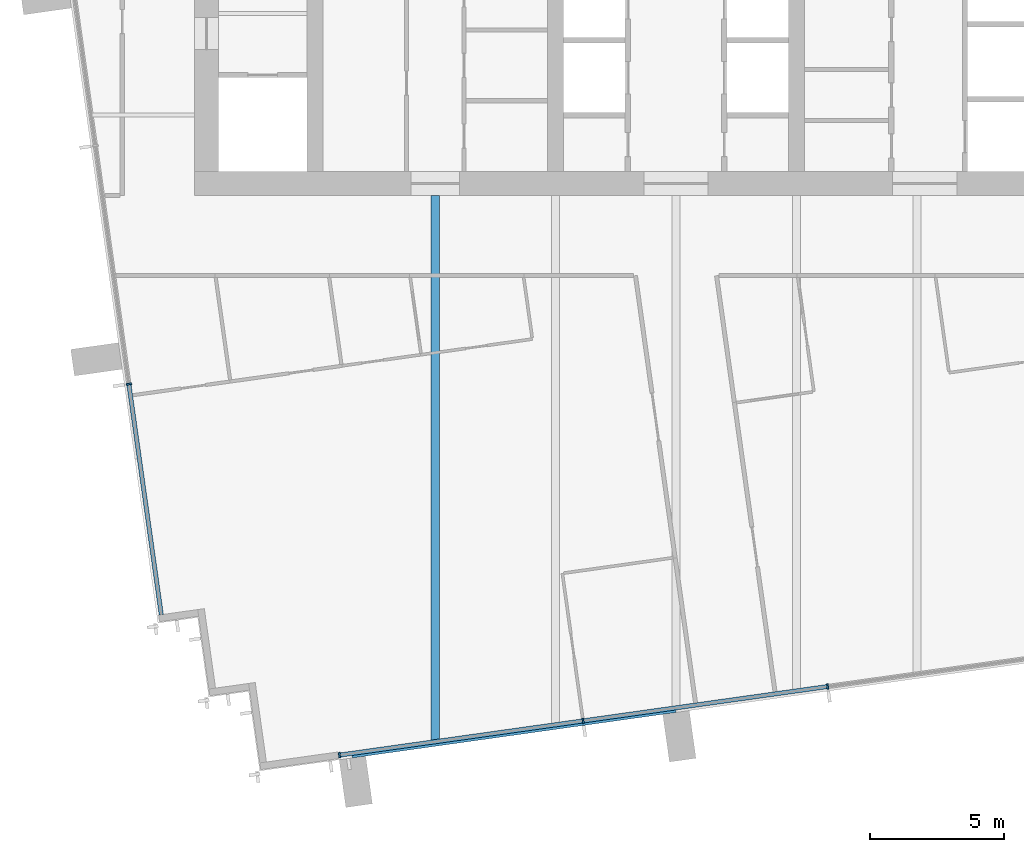
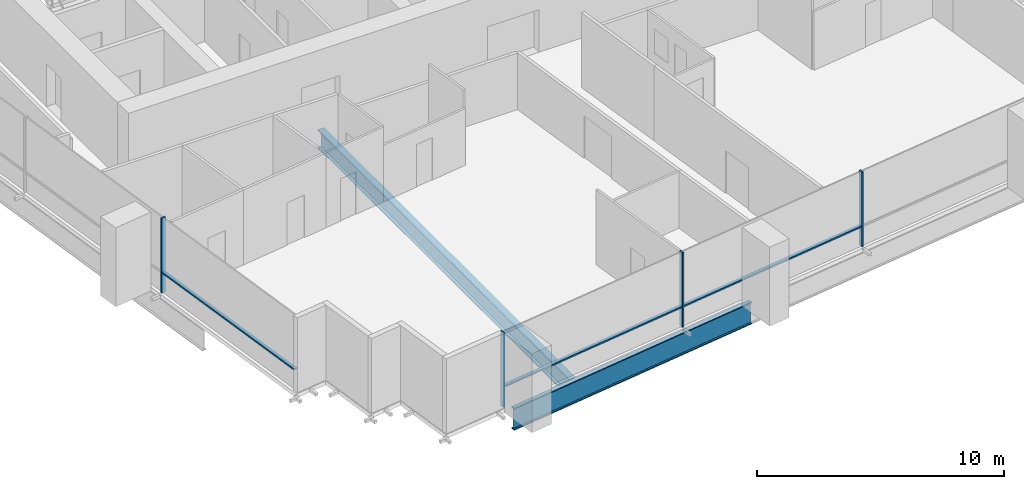
# One storey, part 2 of 14: 7 members, 2 beams, 2 elements without a shape of their own.
"""IFC4 building model written with IfcOpenShell, lengths in metres."""

from ifc_helpers import new_model, si_unit, direction, frame, origin, origin_2d, place, context, subcontext, project, spatial, rectangle, i_section, extrude, material, layer, layer_set, material_profile, profile_set, type_object, element, aggregate, save


model = new_model("IFC4")

# Units and contexts
model_context = context("Model", 3, precision=1e-05, world=origin(), true_north=direction((0.0, 1.0)))
body_context = subcontext(model_context, "Body", "Model", "MODEL_VIEW")
ifc_project = project(units=[si_unit("LENGTHUNIT", "METRE"), si_unit("AREAUNIT", "SQUARE_METRE"), si_unit("VOLUMEUNIT", "CUBIC_METRE"), si_unit("PLANEANGLEUNIT", "RADIAN"), si_unit("MASSUNIT", "GRAM", prefix="KILO")], contexts=[model_context])

# Site, building, storey
site_placement = place(None, origin())
site = spatial("IfcSite", under=ifc_project, at=site_placement, CompositionType="ELEMENT")
building_placement = place(site_placement, origin())
building = spatial("IfcBuilding", under=site, at=building_placement, Name="Rattan Terrace Tower", CompositionType="ELEMENT")
storey_placement = place(building_placement, frame((0.0, 0.0, 229.10009765625)))
storey = spatial("IfcBuildingStorey", under=building, at=storey_placement, Name="L52", CompositionType="ELEMENT", Elevation=229.10009765625)

# Beams
ifc_material_1 = material(Name="Steel S460", Category="steel")
ifc_material_profile_1 = material_profile(ifc_material_1, i_section(OverallWidth=0.179931640625, OverallDepth=1.10009765625, WebThickness=0.01611328125, FlangeThickness=0.050048828125, at=origin_2d()), Name="PG 1100x180-16-50")
ifc_profile_set_1 = profile_set([ifc_material_profile_1], Name="Steel S460")
beam_type_1 = type_object("IfcBeamType", Name="Frame edge girder PG 1100x180-16-50", PredefinedType="SPANDREL", material=ifc_profile_set_1)
beam_1_placement = place(storey_placement, frame((-12.10888671875, -28.43603515625, -0.75), z_axis=(0.990268332234, 0.139171226104, 0.0), x_axis=(-0.139171226104, 0.990268332234, 0.0)))
element("IfcBeam", 1, at=beam_1_placement, inside=storey, type_object=beam_type_1, Name="gdr-L52-001", PredefinedType="SPANDREL", context=body_context, shape_type="SweptSolid", body=[
    extrude(i_section(OverallWidth=0.179931640625, OverallDepth=1.10009765625, WebThickness=0.01611328125, FlangeThickness=0.050048828125, at=origin_2d()), origin(), (0.0, 0.0, 1.0), 12.21484375),
])
ifc_material_2 = material(Name="Steel S460", Category="steel")
ifc_material_profile_2 = material_profile(ifc_material_2, i_section(OverallWidth=0.300048828125, OverallDepth=0.89990234375, WebThickness=0.013916015625, FlangeThickness=0.035888671875, at=origin_2d()), Name="PG 900x300-14-36")
ifc_profile_set_2 = profile_set([ifc_material_profile_2], Name="Steel S460")
beam_type_2 = type_object("IfcBeamType", Name="Frame floor beam PG 900x300-14-36", PredefinedType="JOIST", material=ifc_profile_set_2)
beam_2_placement = place(storey_placement, frame((-9.0, -27.886962890625, -0.650146484375), z_axis=(0.0, 1.0, 0.0), x_axis=(-1.0, 0.0, 0.0)))
element("IfcBeam", 2, at=beam_2_placement, inside=storey, type_object=beam_type_2, Name="bm-L52-003", PredefinedType="JOIST", context=body_context, shape_type="SweptSolid", body=[
    extrude(i_section(OverallWidth=0.300048828125, OverallDepth=0.89990234375, WebThickness=0.013916015625, FlangeThickness=0.035888671875, at=origin_2d()), origin(), (0.0, 0.0, 1.0), 20.386962890625),
])

# Curtain wall, member
ifc_material_3 = material(Name="Aluminium and laminated glass", Category="aluminium")
ifc_layer = layer(ifc_material_3, 0.199951171875)
ifc_layer_set = layer_set([ifc_layer], Name="High-Zone Unitised Curtain Wall")
curtain_wall_type = type_object("IfcCurtainWallType", Name="High-Zone Unitised Curtain Wall", PredefinedType="NOTDEFINED", material=ifc_layer_set)
curtain_wall_1_placement = place(storey_placement, origin())
curtain_wall_1 = element("IfcCurtainWall", 3, at=curtain_wall_1_placement, inside=storey, type_object=curtain_wall_type, Name="High-zone curtain wall L52-3", PredefinedType="NOTDEFINED")
ifc_material_4 = material(Name="Aluminium", Category="aluminium")
ifc_material_profile_3 = material_profile(ifc_material_4, rectangle(XDim=0.070068359375, YDim=0.199951171875, at=origin_2d()), Name="Aluminium 70x200")
ifc_profile_set_3 = profile_set([ifc_material_profile_3], Name="Aluminium")
member_type_1 = type_object("IfcMemberType", Name="High-Zone CW Mullion 70x200", PredefinedType="MULLION", material=ifc_profile_set_3)
member_1_placement = place(storey_placement, frame((-20.452392578125, -14.551025390625, 0.0), z_axis=(0.0, 0.0, 1.0), x_axis=(0.139186165309, -0.990266232579, 0.0)))
member_1 = element("IfcMember", 4, at=member_1_placement, type_object=member_type_1, Name="Mullion cwl-L52-003.3", PredefinedType="MULLION", context=body_context, shape_type="SweptSolid", body=[
    extrude(rectangle(XDim=0.070068359375, YDim=0.199951171875, at=origin_2d()), origin(), (0.0, 0.0, 1.0), 3.699951171875),
])

# Curtain wall, members
curtain_wall_2_placement = place(storey_placement, origin())
curtain_wall_2 = element("IfcCurtainWall", 5, at=curtain_wall_2_placement, inside=storey, type_object=curtain_wall_type, Name="High-zone curtain wall L52-4", PredefinedType="NOTDEFINED")
member_2_placement = place(storey_placement, frame((-12.580078125, -28.4208984375, 0.0), z_axis=(0.0, 0.0, 1.0), x_axis=(0.990267457022, 0.139177453499, 0.0)))
member_2 = element("IfcMember", 6, at=member_2_placement, type_object=member_type_1, Name="Mullion cwl-L52-004.1", PredefinedType="MULLION", context=body_context, shape_type="SweptSolid", body=[
    extrude(rectangle(XDim=0.070068359375, YDim=0.199951171875, at=origin_2d()), origin(), (0.0, 0.0, 1.0), 3.699951171875),
])
member_3_placement = place(storey_placement, frame((-3.473388671875, -27.140869140625, 0.0), z_axis=(0.0, 0.0, 1.0), x_axis=(0.990267457022, 0.139177453499, 0.0)))
member_3 = element("IfcMember", 7, at=member_3_placement, type_object=member_type_1, Name="Mullion cwl-L52-004.2", PredefinedType="MULLION", context=body_context, shape_type="SweptSolid", body=[
    extrude(rectangle(XDim=0.070068359375, YDim=0.199951171875, at=origin_2d()), origin(), (0.0, 0.0, 1.0), 3.699951171875),
])
member_4_placement = place(storey_placement, frame((5.667724609375, -25.856201171875, 0.0), z_axis=(0.0, 0.0, 1.0), x_axis=(0.990267457022, 0.139177453499, 0.0)))
member_4 = element("IfcMember", 8, at=member_4_placement, type_object=member_type_1, Name="Mullion cwl-L52-004.3", PredefinedType="MULLION", context=body_context, shape_type="SweptSolid", body=[
    extrude(rectangle(XDim=0.070068359375, YDim=0.199951171875, at=origin_2d()), origin(), (0.0, 0.0, 1.0), 3.699951171875),
])

# Member
ifc_material_5 = material(Name="Aluminium", Category="aluminium")
ifc_material_profile_4 = material_profile(ifc_material_5, rectangle(XDim=0.159912109375, YDim=0.070068359375, at=origin_2d()), Name="Aluminium 160x70")
ifc_profile_set_4 = profile_set([ifc_material_profile_4], Name="Aluminium")
member_type_2 = type_object("IfcMemberType", Name="High-Zone CW Transom 160x70", PredefinedType="USERDEFINED", material=ifc_profile_set_4)
member_5_placement = place(storey_placement, frame((-20.447509765625, -14.585693359375, 1.0), z_axis=(0.139193563319, -0.990265192729, 0.0), x_axis=(0.990265192729, 0.139193563319, 0.0)))
member_5 = element("IfcMember", 9, at=member_5_placement, type_object=member_type_2, Name="Transom cwl-L52-003.3", ObjectType="TRANSOM", PredefinedType="USERDEFINED", context=body_context, shape_type="SweptSolid", body=[
    extrude(rectangle(XDim=0.159912109375, YDim=0.070068359375, at=origin_2d()), origin(), (0.0, 0.0, 1.0), 8.669921875),
])

aggregate(curtain_wall_1, [member_1, member_5])

member_6_placement = place(storey_placement, frame((-12.54541015625, -28.416015625, 1.0), z_axis=(0.990265856778, 0.139188838988, 0.0), x_axis=(-0.139188838988, 0.990265856778, 0.0)))
member_6 = element("IfcMember", 10, at=member_6_placement, type_object=member_type_2, Name="Transom cwl-L52-004.1", ObjectType="TRANSOM", PredefinedType="USERDEFINED", context=body_context, shape_type="SweptSolid", body=[
    extrude(rectangle(XDim=0.159912109375, YDim=0.070068359375, at=origin_2d()), origin(), (0.0, 0.0, 1.0), 9.126220703125),
])

member_7_placement = place(storey_placement, frame((-3.438720703125, -27.135986328125, 1.0), z_axis=(0.990268863305, 0.13916744723, 0.0), x_axis=(-0.13916744723, 0.990268863305, 0.0)))
member_7 = element("IfcMember", 11, at=member_7_placement, type_object=member_type_2, Name="Transom cwl-L52-004.2", ObjectType="TRANSOM", PredefinedType="USERDEFINED", context=body_context, shape_type="SweptSolid", body=[
    extrude(rectangle(XDim=0.159912109375, YDim=0.070068359375, at=origin_2d()), origin(), (0.0, 0.0, 1.0), 9.160888671875),
])

aggregate(curtain_wall_2, [member_2, member_3, member_4, member_6, member_7])

save(model, "model.ifc")
